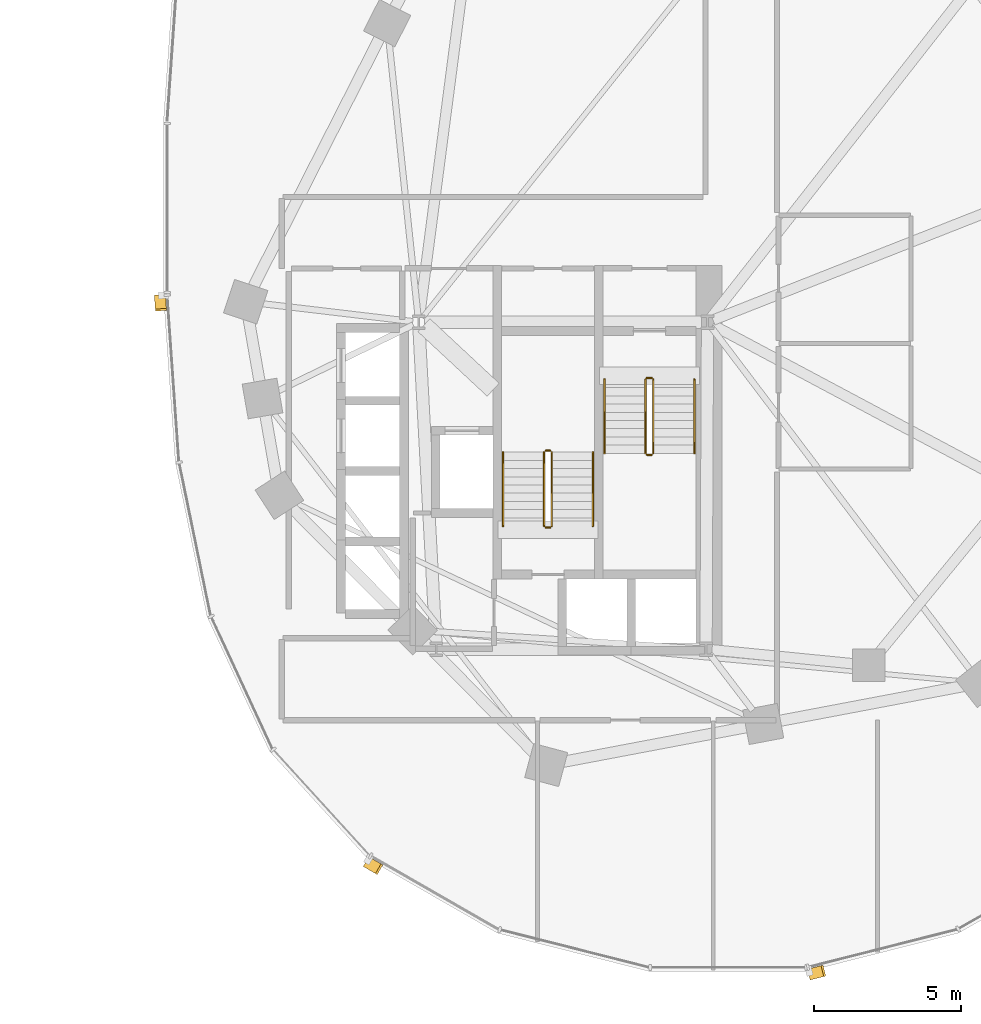
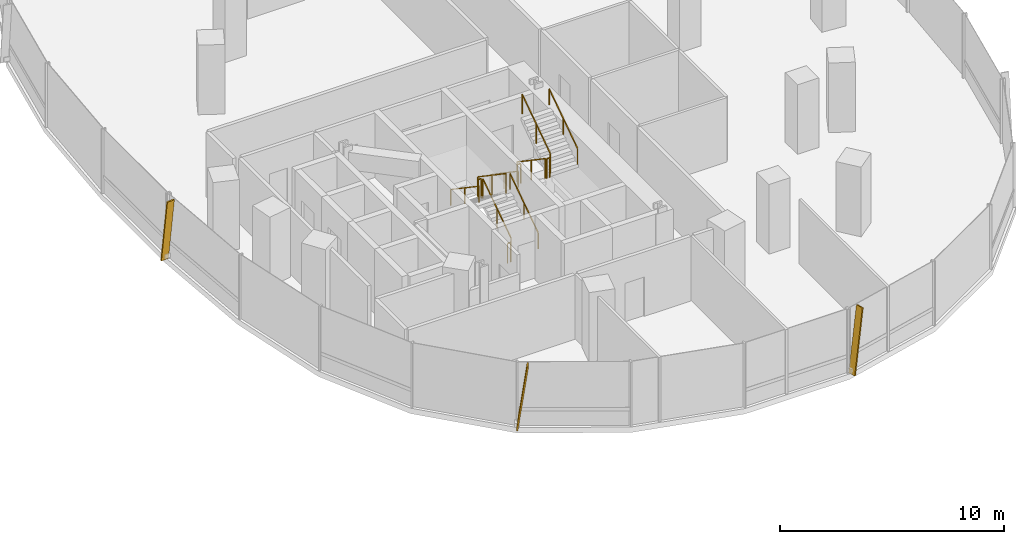
# One storey, part 20 of 21: 12 railings, 3 shading devices.
"""IFC4 building model written with IfcOpenShell, lengths in metres."""

from ifc_helpers import new_model, si_unit, direction, frame, origin, origin_2d, place, context, subcontext, project, spatial, rectangle, extrude, material, material_profile, profile_set, type_object, element, save


model = new_model("IFC4")

# Units and contexts
model_context = context("Model", 3, precision=1e-05, world=origin(), true_north=direction((0.0, 1.0)))
body_context = subcontext(model_context, "Body", "Model", "MODEL_VIEW")
ifc_project = project(units=[si_unit("LENGTHUNIT", "METRE"), si_unit("AREAUNIT", "SQUARE_METRE"), si_unit("VOLUMEUNIT", "CUBIC_METRE"), si_unit("PLANEANGLEUNIT", "RADIAN"), si_unit("MASSUNIT", "GRAM", prefix="KILO"), si_unit("THERMODYNAMICTEMPERATUREUNIT", "KELVIN"), si_unit("POWERUNIT", "WATT")], contexts=[model_context])

# Site, building, storey
site_placement = place(None, origin())
site = spatial("IfcSite", under=ifc_project, at=site_placement, CompositionType="ELEMENT")
building_placement = place(site_placement, origin())
building = spatial("IfcBuilding", under=site, at=building_placement, Name="Cundina Bronze Exchange", CompositionType="ELEMENT")
storey_placement = place(building_placement, frame((0.0, 0.0, 73.39990234375)))
storey = spatial("IfcBuildingStorey", under=building, at=storey_placement, Name="L18", CompositionType="ELEMENT", Elevation=73.39990234375)

# Railings
ifc_material_1 = material(Name="Steel ASTM A36 Painted", Category="steel")
railing_type_1 = type_object("IfcRailingType", Name="RLG-HND-900", PredefinedType="HANDRAIL", material=ifc_material_1)
railing_1_placement = place(storey_placement, frame((27.7900390625, -5.85009765625, 0.190185546875)))
element("IfcRailing", 1, at=railing_1_placement, inside=storey, type_object=railing_type_1, Name="L18 ST-E1 stair handrail 1", PredefinedType="HANDRAIL", context=body_context, shape_type="SweptSolid", body=[
    extrude(rectangle(XDim=0.048095703125, YDim=0.048095703125, at=origin_2d()), frame((0.0, 0.0, 0.8759765625), z_axis=(0.0, -0.827483756001, 0.561489655786), x_axis=(1.0, 0.0, 0.0)), (0.0, 0.0, 1.0), 3.04541015625),
    extrude(rectangle(XDim=0.0419921875, YDim=0.0419921875, at=origin_2d()), origin(), (0.0, 0.0, 1.0), 0.851806640625),
    extrude(rectangle(XDim=0.0419921875, YDim=0.0419921875, at=origin_2d()), frame((0.0, -1.260009765625, 0.85498046875)), (0.0, 0.0, 1.0), 0.851806640625),
    extrude(rectangle(XDim=0.0419921875, YDim=0.0419921875, at=origin_2d()), frame((0.0, -2.52001953125, 1.7099609375)), (0.0, 0.0, 1.0), 0.851806640625),
])
for number, where, name in (
    (2, (30.85009765625, -8.3701171875, 2.090087890625), "L18 ST-E1 stair handrail 2"),
    (3, (27.389892578125, -10.85009765625, 0.190185546875), "L18 ST-E2 stair handrail 1"),
):
    element("IfcRailing", number, at=place(storey_placement, frame(where)), inside=storey, type_object=railing_type_1, Name=name, PredefinedType="HANDRAIL", context=body_context, shape_type="SweptSolid", body=[
        extrude(rectangle(XDim=0.048095703125, YDim=0.048095703125, at=origin_2d()), frame((0.0, 0.0, 0.8759765625), z_axis=(0.0, 0.827483756001, 0.561489655786), x_axis=(-1.0, 0.0, 0.0)), (0.0, 0.0, 1.0), 3.04541015625),
        extrude(rectangle(XDim=0.0419921875, YDim=0.0419921875, at=origin_2d()), origin(), (0.0, 0.0, 1.0), 0.851806640625),
        extrude(rectangle(XDim=0.0419921875, YDim=0.0419921875, at=origin_2d()), frame((0.0, 1.260009765625, 0.85498046875)), (0.0, 0.0, 1.0), 0.851806640625),
        extrude(rectangle(XDim=0.0419921875, YDim=0.0419921875, at=origin_2d()), frame((0.0, 2.52001953125, 1.7099609375)), (0.0, 0.0, 1.0), 0.851806640625),
    ])
railing_2_placement = place(storey_placement, frame((24.330078125, -8.330078125, 2.090087890625)))
element("IfcRailing", 4, at=railing_2_placement, inside=storey, type_object=railing_type_1, Name="L18 ST-E2 stair handrail 2", PredefinedType="HANDRAIL", context=body_context, shape_type="SweptSolid", body=[
    extrude(rectangle(XDim=0.048095703125, YDim=0.048095703125, at=origin_2d()), frame((0.0, 0.0, 0.8759765625), z_axis=(0.0, -0.827483756001, 0.561489655786), x_axis=(1.0, 0.0, 0.0)), (0.0, 0.0, 1.0), 3.04541015625),
    extrude(rectangle(XDim=0.0419921875, YDim=0.0419921875, at=origin_2d()), origin(), (0.0, 0.0, 1.0), 0.851806640625),
    extrude(rectangle(XDim=0.0419921875, YDim=0.0419921875, at=origin_2d()), frame((0.0, -1.260009765625, 0.85498046875)), (0.0, 0.0, 1.0), 0.851806640625),
    extrude(rectangle(XDim=0.0419921875, YDim=0.0419921875, at=origin_2d()), frame((0.0, -2.52001953125, 1.7099609375)), (0.0, 0.0, 1.0), 0.851806640625),
])
railing_type_2 = type_object("IfcRailingType", Name="RLG-STG-1100", PredefinedType="GUARDRAIL", material=ifc_material_1)
railing_3_placement = place(storey_placement, frame((29.18994140625, -5.85009765625, 0.190185546875)))
element("IfcRailing", 5, at=railing_3_placement, inside=storey, type_object=railing_type_2, Name="L18 ST-E1 stair guard 1", PredefinedType="GUARDRAIL", context=body_context, shape_type="SweptSolid", body=[
    extrude(rectangle(XDim=0.048095703125, YDim=0.048095703125, at=origin_2d()), frame((0.0, 0.0, 1.076171875), z_axis=(0.0, -0.827483756001, 0.561489655786), x_axis=(1.0, 0.0, 0.0)), (0.0, 0.0, 1.0), 3.04541015625),
    extrude(rectangle(XDim=0.0419921875, YDim=0.0419921875, at=origin_2d()), origin(), (0.0, 0.0, 1.0), 1.052001953125),
    extrude(rectangle(XDim=0.0419921875, YDim=0.0419921875, at=origin_2d()), frame((0.0, -1.260009765625, 0.85498046875)), (0.0, 0.0, 1.0), 1.052001953125),
    extrude(rectangle(XDim=0.0419921875, YDim=0.0419921875, at=origin_2d()), frame((0.0, -2.52001953125, 1.7099609375)), (0.0, 0.0, 1.0), 1.052001953125),
])
railing_4_placement = place(storey_placement, frame((29.239990234375, -8.419921875, 1.900146484375)))
element("IfcRailing", 6, at=railing_4_placement, inside=storey, type_object=railing_type_2, Name="L18 ST-E1 stair guard 2", PredefinedType="GUARDRAIL", context=body_context, shape_type="SweptSolid", body=[
    extrude(rectangle(XDim=0.048095703125, YDim=0.048095703125, at=origin_2d()), frame((0.0, 0.0, 1.076171875), z_axis=(1.0, 0.0, 0.0), x_axis=(0.0, 1.0, 0.0)), (0.0, 0.0, 1.0), 0.159912109375),
    extrude(rectangle(XDim=0.0419921875, YDim=0.0419921875, at=origin_2d()), origin(), (0.0, 0.0, 1.0), 1.052001953125),
    extrude(rectangle(XDim=0.0419921875, YDim=0.0419921875, at=origin_2d()), frame((0.159912109375, 0.0, 0.0)), (0.0, 0.0, 1.0), 1.052001953125),
])
railing_5_placement = place(storey_placement, frame((29.449951171875, -8.3701171875, 2.090087890625)))
element("IfcRailing", 7, at=railing_5_placement, inside=storey, type_object=railing_type_2, Name="L18 ST-E1 stair guard 3", PredefinedType="GUARDRAIL", context=body_context, shape_type="SweptSolid", body=[
    extrude(rectangle(XDim=0.048095703125, YDim=0.048095703125, at=origin_2d()), frame((0.0, 0.0, 1.076171875), z_axis=(0.0, 0.827483756001, 0.561489655786), x_axis=(-1.0, 0.0, 0.0)), (0.0, 0.0, 1.0), 3.04541015625),
    extrude(rectangle(XDim=0.0419921875, YDim=0.0419921875, at=origin_2d()), origin(), (0.0, 0.0, 1.0), 1.052001953125),
    extrude(rectangle(XDim=0.0419921875, YDim=0.0419921875, at=origin_2d()), frame((0.0, 1.260009765625, 0.85498046875)), (0.0, 0.0, 1.0), 1.052001953125),
    extrude(rectangle(XDim=0.0419921875, YDim=0.0419921875, at=origin_2d()), frame((0.0, 2.52001953125, 1.7099609375)), (0.0, 0.0, 1.0), 1.052001953125),
])
railing_6_placement = place(storey_placement, frame((29.239990234375, -5.800048828125, 0.0)))
element("IfcRailing", 8, at=railing_6_placement, inside=storey, type_object=railing_type_2, Name="L18 ST-E1 stair guard 4", PredefinedType="GUARDRAIL", context=body_context, shape_type="SweptSolid", body=[
    extrude(rectangle(XDim=0.048095703125, YDim=0.048095703125, at=origin_2d()), frame((0.0, 0.0, 1.076171875), z_axis=(1.0, 0.0, 0.0), x_axis=(0.0, 1.0, 0.0)), (0.0, 0.0, 1.0), 0.159912109375),
    extrude(rectangle(XDim=0.0419921875, YDim=0.0419921875, at=origin_2d()), origin(), (0.0, 0.0, 1.0), 1.052001953125),
    extrude(rectangle(XDim=0.0419921875, YDim=0.0419921875, at=origin_2d()), frame((0.159912109375, 0.0, 0.0)), (0.0, 0.0, 1.0), 1.052001953125),
])
railing_7_placement = place(storey_placement, frame((25.989990234375, -10.85009765625, 0.190185546875)))
element("IfcRailing", 9, at=railing_7_placement, inside=storey, type_object=railing_type_2, Name="L18 ST-E2 stair guard 1", PredefinedType="GUARDRAIL", context=body_context, shape_type="SweptSolid", body=[
    extrude(rectangle(XDim=0.048095703125, YDim=0.048095703125, at=origin_2d()), frame((0.0, 0.0, 1.076171875), z_axis=(0.0, 0.827483756001, 0.561489655786), x_axis=(-1.0, 0.0, 0.0)), (0.0, 0.0, 1.0), 3.04541015625),
    extrude(rectangle(XDim=0.0419921875, YDim=0.0419921875, at=origin_2d()), origin(), (0.0, 0.0, 1.0), 1.052001953125),
    extrude(rectangle(XDim=0.0419921875, YDim=0.0419921875, at=origin_2d()), frame((0.0, 1.260009765625, 0.85498046875)), (0.0, 0.0, 1.0), 1.052001953125),
    extrude(rectangle(XDim=0.0419921875, YDim=0.0419921875, at=origin_2d()), frame((0.0, 2.52001953125, 1.7099609375)), (0.0, 0.0, 1.0), 1.052001953125),
])
railing_8_placement = place(storey_placement, frame((25.93994140625, -8.280029296875, 1.900146484375)))
element("IfcRailing", 10, at=railing_8_placement, inside=storey, type_object=railing_type_2, Name="L18 ST-E2 stair guard 2", PredefinedType="GUARDRAIL", context=body_context, shape_type="SweptSolid", body=[
    extrude(rectangle(XDim=0.048095703125, YDim=0.048095703125, at=origin_2d()), frame((0.0, 0.0, 1.076171875), z_axis=(-1.0, 0.0, 0.0), x_axis=(0.0, -1.0, 0.0)), (0.0, 0.0, 1.0), 0.159912109375),
    extrude(rectangle(XDim=0.0419921875, YDim=0.0419921875, at=origin_2d()), origin(), (0.0, 0.0, 1.0), 1.052001953125),
    extrude(rectangle(XDim=0.0419921875, YDim=0.0419921875, at=origin_2d()), frame((-0.159912109375, 0.0, 0.0)), (0.0, 0.0, 1.0), 1.052001953125),
])
railing_9_placement = place(storey_placement, frame((25.72998046875, -8.330078125, 2.090087890625)))
element("IfcRailing", 11, at=railing_9_placement, inside=storey, type_object=railing_type_2, Name="L18 ST-E2 stair guard 3", PredefinedType="GUARDRAIL", context=body_context, shape_type="SweptSolid", body=[
    extrude(rectangle(XDim=0.048095703125, YDim=0.048095703125, at=origin_2d()), frame((0.0, 0.0, 1.076171875), z_axis=(0.0, -0.827483756001, 0.561489655786), x_axis=(1.0, 0.0, 0.0)), (0.0, 0.0, 1.0), 3.04541015625),
    extrude(rectangle(XDim=0.0419921875, YDim=0.0419921875, at=origin_2d()), origin(), (0.0, 0.0, 1.0), 1.052001953125),
    extrude(rectangle(XDim=0.0419921875, YDim=0.0419921875, at=origin_2d()), frame((0.0, -1.260009765625, 0.85498046875)), (0.0, 0.0, 1.0), 1.052001953125),
    extrude(rectangle(XDim=0.0419921875, YDim=0.0419921875, at=origin_2d()), frame((0.0, -2.52001953125, 1.7099609375)), (0.0, 0.0, 1.0), 1.052001953125),
])
railing_10_placement = place(storey_placement, frame((25.93994140625, -10.89990234375, 0.0)))
element("IfcRailing", 12, at=railing_10_placement, inside=storey, type_object=railing_type_2, Name="L18 ST-E2 stair guard 4", PredefinedType="GUARDRAIL", context=body_context, shape_type="SweptSolid", body=[
    extrude(rectangle(XDim=0.048095703125, YDim=0.048095703125, at=origin_2d()), frame((0.0, 0.0, 1.076171875), z_axis=(-1.0, 0.0, 0.0), x_axis=(0.0, -1.0, 0.0)), (0.0, 0.0, 1.0), 0.159912109375),
    extrude(rectangle(XDim=0.0419921875, YDim=0.0419921875, at=origin_2d()), origin(), (0.0, 0.0, 1.0), 1.052001953125),
    extrude(rectangle(XDim=0.0419921875, YDim=0.0419921875, at=origin_2d()), frame((-0.159912109375, 0.0, 0.0)), (0.0, 0.0, 1.0), 1.052001953125),
])

# Shading devices
ifc_material_2 = material(Name="Anodised Bronze Aluminium 6063-T6", Category="aluminium")
ifc_material_profile = material_profile(ifc_material_2, rectangle(XDim=0.070068359375, YDim=0.3798828125, at=origin_2d()), Name="FIN70X380", Category="aluminium")
ifc_profile_set = profile_set([ifc_material_profile], Name="Anodised Bronze Aluminium 6063-T6")
shading_device_type = type_object("IfcShadingDeviceType", Name="SHD-FIN-BRZ380", PredefinedType="USERDEFINED", material=ifc_profile_set)
for number, where, z_axis, x_axis, name in (
    (13, (12.6259765625, -2.993896484375, 0.02001953125), (0.009590711413, -0.136285399132, 0.990623191854), (-0.069540413612, 0.988179355741, 0.13662244238), "L18 Diagonal Bronze Solar Fin 1"),
    (14, (19.685791015625, -22.314208984375, 0.02001953125), (0.118493676653, -0.068038304659, 0.990621036367), (-0.859074841637, 0.49327523165, 0.136638070491), "L18 Diagonal Bronze Solar Fin 5"),
    (15, (34.787353515625, -26.138427734375, 0.02001953125), (0.132462823811, 0.033497943902, 0.990621768417), (-0.960388664093, -0.242868486932, 0.136632763046), "L18 Diagonal Bronze Solar Fin 1"),
):
    element("IfcShadingDevice", number, at=place(storey_placement, frame(where, z_axis=z_axis, x_axis=x_axis)), inside=storey, type_object=shading_device_type, Name=name, ObjectType="FIN", PredefinedType="USERDEFINED", context=body_context, shape_type="SweptSolid", body=[
        extrude(rectangle(XDim=0.070068359375, YDim=0.3798828125, at=origin_2d()), origin(), (0.0, 0.0, 1.0), 3.512939453125),
    ])

save(model, "model.ifc")
